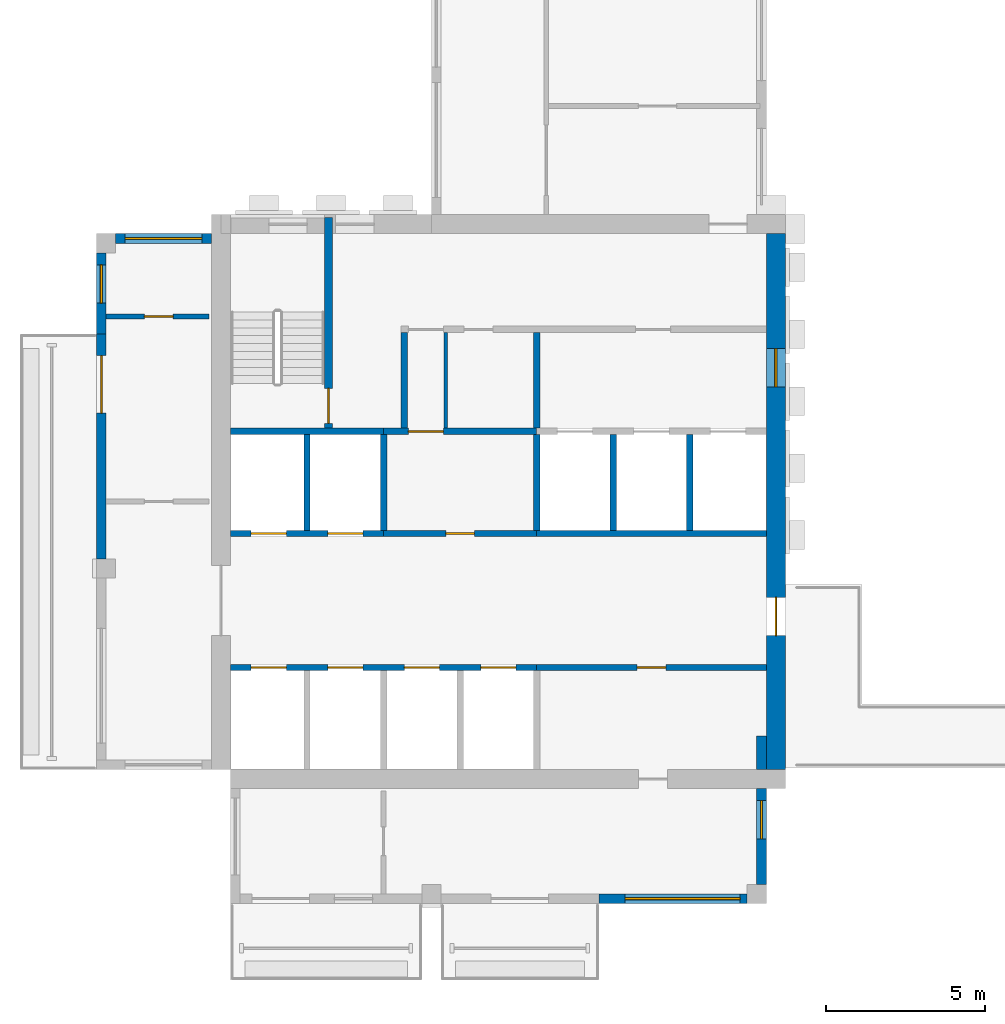
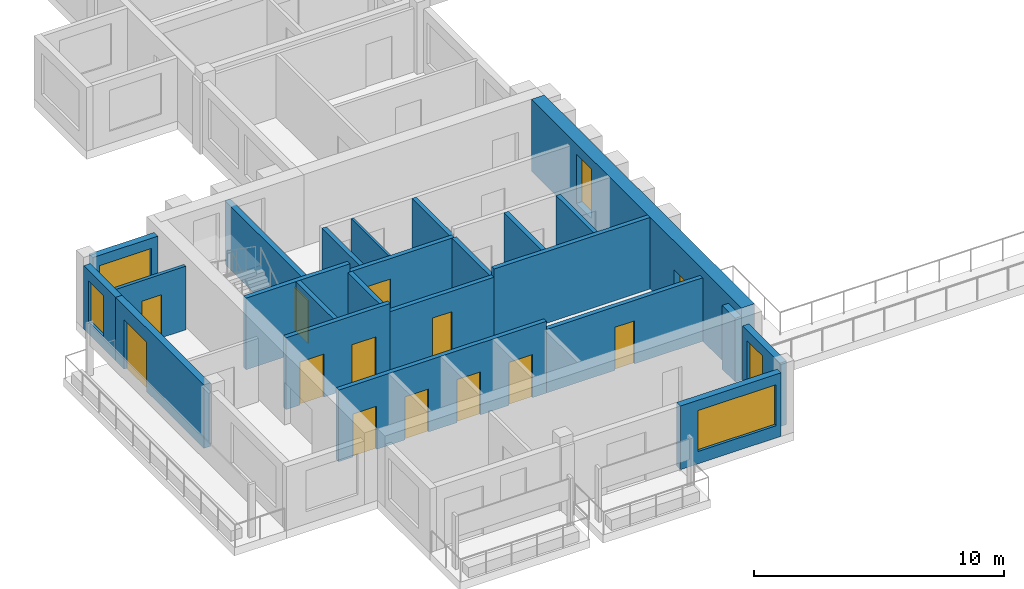
# One storey, part 2 of 8: 24 walls, 13 doors, 5 windows, 18 openings.
"""IFC4 building model written with IfcOpenShell, lengths in metres."""

from ifc_helpers import new_model, si_unit, direction, frame, frame_2d, origin, place, context, subcontext, project, spatial, rectangle, extrude, source, transform, mapped, material, layer, layer_set, type_object, element, fill, save


model = new_model("IFC4")

# Units and contexts
model_context = context("Model", 3, precision=1e-05, world=origin(), true_north=direction((0.0, 1.0)))
body_context = subcontext(model_context, "Body", "Model", "MODEL_VIEW")
ifc_project = project(units=[si_unit("LENGTHUNIT", "METRE"), si_unit("AREAUNIT", "SQUARE_METRE"), si_unit("VOLUMEUNIT", "CUBIC_METRE"), si_unit("PLANEANGLEUNIT", "RADIAN"), si_unit("MASSUNIT", "GRAM", prefix="KILO")], contexts=[model_context])

# Site, building, storey
site_placement = place(None, origin())
site = spatial("IfcSite", under=ifc_project, at=site_placement, CompositionType="ELEMENT")
building_placement = place(site_placement, origin())
building = spatial("IfcBuilding", under=site, at=building_placement, Name="Aurelian Terraces", CompositionType="ELEMENT")
storey_placement = place(building_placement, frame((0.0, 0.0, 347.5)))
storey = spatial("IfcBuildingStorey", under=building, at=storey_placement, Name="L82", CompositionType="ELEMENT", Elevation=347.5)

# Wall, opening, window
ifc_material_1 = material(Name="Terracotta rainscreen cladding", Category="masonry")
ifc_layer_1 = layer(ifc_material_1, 0.3)
ifc_layer_set_1 = layer_set([ifc_layer_1], Name="EW-300")
wall_type_1 = type_object("IfcWallType", Name="EW-300", PredefinedType="STANDARD", material=ifc_layer_set_1)
wall_1_placement = place(storey_placement, frame((15.75, 0.15, 0.0), z_axis=(0.0, 0.0, 1.0), x_axis=(1.0, 0.0, 0.0)))
wall_1 = element("IfcWall", 1, at=wall_1_placement, inside=storey, type_object=wall_type_1, Name="External wall L82 F01.3", PredefinedType="STANDARD", context=body_context, shape_type="SweptSolid", body=[
    extrude(rectangle(XDim=4.65, YDim=0.3, at=frame_2d((2.325, 0.0))), origin(), (0.0, 0.0, 1.0), 3.1),
])
shared_shape_1 = source(origin(), body_context, "Body", "SweptSolid", [
    extrude(rectangle(XDim=3.6, YDim=2.0, at=frame_2d((1.8, 1.0))), frame((0.0, 0.16, 0.0), z_axis=(0.0, -1.0, 0.0), x_axis=(1.0, 0.0, 0.0)), (0.0, 0.0, 1.0), 0.32),
])
opening_1_placement = place(wall_1_placement, frame((0.825, 0.0, 0.6)))
opening_1 = element("IfcOpeningElement", 2, at=opening_1_placement, cuts=wall_1, Name="Opening W3620", PredefinedType="OPENING", context=body_context, shape_type="MappedRepresentation", body=[
    mapped(shared_shape_1, transform((0.0, 0.0, 0.0), scale=1.0)),
])
ifc_material_2 = material(Name="Clear glazing", Category="glass")
window_type_1 = type_object("IfcWindowType", Name="W-3600x2000", PartitioningType="SINGLE_PANEL", PredefinedType="WINDOW", material=ifc_material_2)
shared_shape_2 = source(origin(), body_context, "Body", "SweptSolid", [
    extrude(rectangle(XDim=3.6, YDim=2.0, at=frame_2d((1.8, 1.0))), frame((0.0, 0.03, 0.0), z_axis=(0.0, -1.0, 0.0), x_axis=(1.0, 0.0, 0.0)), (0.0, 0.0, 1.0), 0.06),
])
window_1_placement = place(opening_1_placement, origin())
window_1 = element("IfcWindow", 3, at=window_1_placement, inside=storey, type_object=window_type_1, Name="Window L82 L82-F01-03-0", OverallHeight=2.0, OverallWidth=3.6, PartitioningType="SINGLE_PANEL", PredefinedType="WINDOW", context=body_context, shape_type="MappedRepresentation", body=[
    mapped(shared_shape_2, transform((0.0, 0.0, 0.0), scale=1.0)),
])
fill(opening_1, window_1)

# Wall, openings, door, window
ifc_material_3 = material(Name="Concrete fc' 55 MPa", Category="concrete")
ifc_layer_2 = layer(ifc_material_3, 0.6)
ifc_layer_set_2 = layer_set([ifc_layer_2], Name="CORE WALL 600 FC55")
wall_type_2 = type_object("IfcWallType", Name="CORE WALL 600 FC55", PredefinedType="SHEAR", material=ifc_layer_set_2)
shared_shape_3 = source(origin(), body_context, "Body", "SweptSolid", [
    extrude(rectangle(XDim=16.8, YDim=0.6, at=frame_2d((8.4, 0.0))), origin(), (0.0, 0.0, 1.0), 3.5),
])
wall_2_placement = place(storey_placement, frame((21.3, 4.2, 0.0), z_axis=(0.0, 0.0, 1.0), x_axis=(0.0, 1.0, 0.0)))
wall_2 = element("IfcWall", 4, at=wall_2_placement, inside=storey, type_object=wall_type_2, Name="Core wall E L82 exposed", PredefinedType="SHEAR", context=body_context, shape_type="MappedRepresentation", body=[
    mapped(shared_shape_3, transform((0.0, 0.0, 0.0), scale=1.0)),
])
shared_shape_4 = source(origin(), body_context, "Body", "SweptSolid", [
    extrude(rectangle(XDim=1.2, YDim=2.1, at=frame_2d((0.6, 1.05))), frame((0.0, 0.31, 0.0), z_axis=(0.0, -1.0, 0.0), x_axis=(1.0, 0.0, 0.0)), (0.0, 0.0, 1.0), 0.62),
])
opening_2_placement = place(wall_2_placement, frame((4.2, 0.0, 0.0)))
opening_2 = element("IfcOpeningElement", 5, at=opening_2_placement, cuts=wall_2, Name="Opening 68523", PredefinedType="OPENING", context=body_context, shape_type="MappedRepresentation", body=[
    mapped(shared_shape_4, transform((0.0, 0.0, 0.0), scale=1.0)),
])
shared_shape_5 = source(origin(), body_context, "Body", "SweptSolid", [
    extrude(rectangle(XDim=1.2, YDim=2.4, at=frame_2d((0.6, 1.2))), frame((0.0, 0.31, 0.0), z_axis=(0.0, -1.0, 0.0), x_axis=(1.0, 0.0, 0.0)), (0.0, 0.0, 1.0), 0.62),
])
opening_3_placement = place(wall_2_placement, frame((12.0, 0.0, 0.6)))
opening_3 = element("IfcOpeningElement", 6, at=opening_3_placement, cuts=wall_2, Name="Opening W-CL", PredefinedType="OPENING", context=body_context, shape_type="MappedRepresentation", body=[
    mapped(shared_shape_5, transform((0.0, 0.0, 0.0), scale=1.0)),
])
ifc_material_4 = material(Name="Steel door leaf", Category="steel")
door_type_1 = type_object("IfcDoorType", Name="Core fire door 1200x2100 right", OperationType="SINGLE_SWING_RIGHT", PredefinedType="DOOR", material=ifc_material_4)
shared_shape_6 = source(origin(), body_context, "Body", "SweptSolid", [
    extrude(rectangle(XDim=1.2, YDim=2.1, at=frame_2d((0.6, 1.05))), frame((0.0, 0.025, 0.0), z_axis=(0.0, -1.0, 0.0), x_axis=(1.0, 0.0, 0.0)), (0.0, 0.0, 1.0), 0.05),
])
door_1_placement = place(opening_2_placement, origin())
door_1 = element("IfcDoor", 7, at=door_1_placement, inside=storey, type_object=door_type_1, Name="Core door 68523", OperationType="SINGLE_SWING_RIGHT", OverallHeight=2.1, OverallWidth=1.2, PredefinedType="DOOR", context=body_context, shape_type="MappedRepresentation", body=[
    mapped(shared_shape_6, transform((0.0, 0.0, 0.0), scale=1.0)),
])
fill(opening_2, door_1)
ifc_material_5 = material(Name="Fire-resisting glazing", Category="glass")
window_type_2 = type_object("IfcWindowType", Name="Core lobby window 1200x2400", PartitioningType="SINGLE_PANEL", PredefinedType="WINDOW", material=ifc_material_5)
shared_shape_7 = source(origin(), body_context, "Body", "SweptSolid", [
    extrude(rectangle(XDim=1.2, YDim=2.4, at=frame_2d((0.6, 1.2))), frame((0.0, 0.03, 0.0), z_axis=(0.0, -1.0, 0.0), x_axis=(1.0, 0.0, 0.0)), (0.0, 0.0, 1.0), 0.06),
])
window_2_placement = place(opening_3_placement, origin())
window_2 = element("IfcWindow", 8, at=window_2_placement, inside=storey, type_object=window_type_2, Name="Lobby window L82 E55", OverallHeight=2.4, OverallWidth=1.2, PartitioningType="SINGLE_PANEL", PredefinedType="WINDOW", context=body_context, shape_type="MappedRepresentation", body=[
    mapped(shared_shape_7, transform((0.0, 0.0, 0.0), scale=1.0)),
])
fill(opening_3, window_2)

# Wall
shared_shape_8 = source(origin(), body_context, "Body", "SweptSolid", [
    extrude(rectangle(XDim=1.05, YDim=0.3, at=frame_2d((0.525, 0.0))), origin(), (0.0, 0.0, 1.0), 3.1),
])
wall_3_placement = place(storey_placement, frame((20.85, 4.2, 0.0), z_axis=(0.0, 0.0, 1.0), x_axis=(0.0, 1.0, 0.0)))
element("IfcWall", 9, at=wall_3_placement, inside=storey, type_object=wall_type_1, Name="External wall L82 F02.4", PredefinedType="STANDARD", context=body_context, shape_type="MappedRepresentation", body=[
    mapped(shared_shape_8, transform((0.0, 0.0, 0.0), scale=1.0)),
])

# Wall, opening, window
shared_shape_9 = source(origin(), body_context, "Body", "SweptSolid", [
    extrude(rectangle(XDim=3.0, YDim=0.3, at=frame_2d((1.5, 0.0))), origin(), (0.0, 0.0, 1.0), 3.1),
])
wall_4_placement = place(storey_placement, frame((20.85, 0.6, 0.0), z_axis=(0.0, 0.0, 1.0), x_axis=(0.0, 1.0, 0.0)))
wall_4 = element("IfcWall", 10, at=wall_4_placement, inside=storey, type_object=wall_type_1, Name="External wall L82 F02.4", PredefinedType="STANDARD", context=body_context, shape_type="MappedRepresentation", body=[
    mapped(shared_shape_9, transform((0.0, 0.0, 0.0), scale=1.0)),
])
shared_shape_10 = source(origin(), body_context, "Body", "SweptSolid", [
    extrude(rectangle(XDim=1.2, YDim=2.0, at=frame_2d((0.6, 1.0))), frame((0.0, 0.16, 0.0), z_axis=(0.0, -1.0, 0.0), x_axis=(1.0, 0.0, 0.0)), (0.0, 0.0, 1.0), 0.32),
])
opening_4_placement = place(wall_4_placement, frame((1.425, 0.0, 0.6)))
opening_4 = element("IfcOpeningElement", 11, at=opening_4_placement, cuts=wall_4, Name="Opening W1220", PredefinedType="OPENING", context=body_context, shape_type="MappedRepresentation", body=[
    mapped(shared_shape_10, transform((0.0, 0.0, 0.0), scale=1.0)),
])
window_type_3 = type_object("IfcWindowType", Name="W-1200x2000", PartitioningType="SINGLE_PANEL", PredefinedType="WINDOW", material=ifc_material_2)
shared_shape_11 = source(origin(), body_context, "Body", "SweptSolid", [
    extrude(rectangle(XDim=1.2, YDim=2.0, at=frame_2d((0.6, 1.0))), frame((0.0, 0.03, 0.0), z_axis=(0.0, -1.0, 0.0), x_axis=(1.0, 0.0, 0.0)), (0.0, 0.0, 1.0), 0.06),
])
window_3_placement = place(opening_4_placement, origin())
window_3 = element("IfcWindow", 12, at=window_3_placement, inside=storey, type_object=window_type_3, Name="Window L82 L82-F02-04-0", OverallHeight=2.0, OverallWidth=1.2, PartitioningType="SINGLE_PANEL", PredefinedType="WINDOW", context=body_context, shape_type="MappedRepresentation", body=[
    mapped(shared_shape_11, transform((0.0, 0.0, 0.0), scale=1.0)),
])
fill(opening_4, window_3)

wall_5_placement = place(storey_placement, frame((3.6, 20.85, 0.0), z_axis=(0.0, 0.0, 1.0), x_axis=(-1.0, 0.0, 0.0)))
wall_5 = element("IfcWall", 13, at=wall_5_placement, inside=storey, type_object=wall_type_1, Name="External wall L82 F09.16", PredefinedType="STANDARD", context=body_context, shape_type="MappedRepresentation", body=[
    mapped(shared_shape_9, transform((0.0, 0.0, 0.0), scale=1.0)),
])
shared_shape_12 = source(origin(), body_context, "Body", "SweptSolid", [
    extrude(rectangle(XDim=2.4, YDim=2.0, at=frame_2d((1.2, 1.0))), frame((0.0, 0.16, 0.0), z_axis=(0.0, -1.0, 0.0), x_axis=(1.0, 0.0, 0.0)), (0.0, 0.0, 1.0), 0.32),
])
opening_5_placement = place(wall_5_placement, frame((0.3, 0.0, 0.6)))
opening_5 = element("IfcOpeningElement", 14, at=opening_5_placement, cuts=wall_5, Name="Opening W2420", PredefinedType="OPENING", context=body_context, shape_type="MappedRepresentation", body=[
    mapped(shared_shape_12, transform((0.0, 0.0, 0.0), scale=1.0)),
])
window_type_4 = type_object("IfcWindowType", Name="W-2400x2000", PartitioningType="SINGLE_PANEL", PredefinedType="WINDOW", material=ifc_material_2)
shared_shape_13 = source(origin(), body_context, "Body", "SweptSolid", [
    extrude(rectangle(XDim=2.4, YDim=2.0, at=frame_2d((1.2, 1.0))), frame((0.0, 0.03, 0.0), z_axis=(0.0, -1.0, 0.0), x_axis=(1.0, 0.0, 0.0)), (0.0, 0.0, 1.0), 0.06),
])
window_4_placement = place(opening_5_placement, origin())
window_4 = element("IfcWindow", 15, at=window_4_placement, inside=storey, type_object=window_type_4, Name="Window L82 L82-F09-16-0", OverallHeight=2.0, OverallWidth=2.4, PartitioningType="SINGLE_PANEL", PredefinedType="WINDOW", context=body_context, shape_type="MappedRepresentation", body=[
    mapped(shared_shape_13, transform((0.0, 0.0, 0.0), scale=1.0)),
])
fill(opening_5, window_4)

shared_shape_14 = source(origin(), body_context, "Body", "SweptSolid", [
    extrude(rectangle(XDim=2.55, YDim=0.3, at=frame_2d((1.275, 0.0))), origin(), (0.0, 0.0, 1.0), 3.1),
])
wall_6_placement = place(storey_placement, frame((0.15, 20.4, 0.0), z_axis=(0.0, 0.0, 1.0), x_axis=(0.0, -1.0, 0.0)))
wall_6 = element("IfcWall", 16, at=wall_6_placement, inside=storey, type_object=wall_type_1, Name="External wall L82 F10.17", PredefinedType="STANDARD", context=body_context, shape_type="MappedRepresentation", body=[
    mapped(shared_shape_14, transform((0.0, 0.0, 0.0), scale=1.0)),
])
opening_6_placement = place(wall_6_placement, frame((0.375, 0.0, 0.6)))
opening_6 = element("IfcOpeningElement", 17, at=opening_6_placement, cuts=wall_6, Name="Opening W1220", PredefinedType="OPENING", context=body_context, shape_type="MappedRepresentation", body=[
    mapped(shared_shape_10, transform((0.0, 0.0, 0.0), scale=1.0)),
])
window_5_placement = place(opening_6_placement, origin())
window_5 = element("IfcWindow", 18, at=window_5_placement, inside=storey, type_object=window_type_3, Name="Window L82 L82-F10-17-0", OverallHeight=2.0, OverallWidth=1.2, PartitioningType="SINGLE_PANEL", PredefinedType="WINDOW", context=body_context, shape_type="MappedRepresentation", body=[
    mapped(shared_shape_11, transform((0.0, 0.0, 0.0), scale=1.0)),
])
fill(opening_6, window_5)

# Wall, opening, door
shared_shape_15 = source(origin(), body_context, "Body", "SweptSolid", [
    extrude(rectangle(XDim=7.05, YDim=0.3, at=frame_2d((3.525, 0.0))), origin(), (0.0, 0.0, 1.0), 3.1),
])
wall_7_placement = place(storey_placement, frame((0.15, 17.85, 0.0), z_axis=(0.0, 0.0, 1.0), x_axis=(0.0, -1.0, 0.0)))
wall_7 = element("IfcWall", 19, at=wall_7_placement, inside=storey, type_object=wall_type_1, Name="External wall L82 F10.18", PredefinedType="STANDARD", context=body_context, shape_type="MappedRepresentation", body=[
    mapped(shared_shape_15, transform((0.0, 0.0, 0.0), scale=1.0)),
])
shared_shape_16 = source(origin(), body_context, "Body", "SweptSolid", [
    extrude(rectangle(XDim=1.8, YDim=2.4, at=frame_2d((0.9, 1.2))), frame((0.0, 0.16, 0.0), z_axis=(0.0, -1.0, 0.0), x_axis=(1.0, 0.0, 0.0)), (0.0, 0.0, 1.0), 0.32),
])
opening_7_placement = place(wall_7_placement, frame((0.675, 0.0, 0.0)))
opening_7 = element("IfcOpeningElement", 20, at=opening_7_placement, cuts=wall_7, Name="Opening 88203", PredefinedType="OPENING", context=body_context, shape_type="MappedRepresentation", body=[
    mapped(shared_shape_16, transform((0.0, 0.0, 0.0), scale=1.0)),
])
door_type_2 = type_object("IfcDoorType", Name="BD-1800x2400", OperationType="SLIDING_TO_LEFT", PredefinedType="DOOR", material=ifc_material_2)
shared_shape_17 = source(origin(), body_context, "Body", "SweptSolid", [
    extrude(rectangle(XDim=1.8, YDim=2.4, at=frame_2d((0.9, 1.2))), frame((0.0, 0.025, 0.0), z_axis=(0.0, -1.0, 0.0), x_axis=(1.0, 0.0, 0.0)), (0.0, 0.0, 1.0), 0.05),
])
door_2_placement = place(opening_7_placement, origin())
door_2 = element("IfcDoor", 21, at=door_2_placement, inside=storey, type_object=door_type_2, Name="Balcony door L82 F10.18", OperationType="SLIDING_TO_LEFT", OverallHeight=2.4, OverallWidth=1.8, PredefinedType="DOOR", context=body_context, shape_type="MappedRepresentation", body=[
    mapped(shared_shape_17, transform((0.0, 0.0, 0.0), scale=1.0)),
])
fill(opening_7, door_2)

# Walls
ifc_material_6 = material(Name="Concrete fc' 40 MPa", Category="concrete")
ifc_layer_3 = layer(ifc_material_6, 0.2)
ifc_layer_set_3 = layer_set([ifc_layer_3], Name="Lift shaft wall 200")
wall_type_3 = type_object("IfcWallType", Name="Lift shaft wall 200", PredefinedType="SOLIDWALL", material=ifc_layer_set_3)
shared_shape_18 = source(origin(), body_context, "Body", "SweptSolid", [
    extrude(rectangle(XDim=3.0, YDim=0.2, at=frame_2d((1.5, 0.0))), origin(), (0.0, 0.0, 1.0), 3.1),
])
for number, where, z_axis, x_axis, name in (
    (22, (9.0, 11.7, 0.0), (0.0, 0.0, 1.0), (0.0, 1.0, 0.0), "L82 core wall CD-B2"),
    (23, (13.8, 11.7, 0.0), (0.0, 0.0, 1.0), (0.0, 1.0, 0.0), "L82 core wall CD-B4"),
):
    element("IfcWall", number, at=place(storey_placement, frame(where, z_axis=z_axis, x_axis=x_axis)), inside=storey, type_object=wall_type_3, Name=name, PredefinedType="SOLIDWALL", context=body_context, shape_type="MappedRepresentation", body=[
        mapped(shared_shape_18, transform((0.0, 0.0, 0.0), scale=1.0)),
    ])
shared_shape_19 = source(origin(), body_context, "Body", "SweptSolid", [
    extrude(rectangle(XDim=3.0, YDim=0.2, at=frame_2d((1.5, 0.0))), origin(), (0.0, 0.0, 1.0), 3.5),
])
for number, where, z_axis, x_axis, name in (
    (24, (6.6, 11.7, 0.0), (0.0, 0.0, 1.0), (0.0, 1.0, 0.0), "L82 core wall CD-B1"),
    (25, (16.2, 11.7, 0.0), (0.0, 0.0, 1.0), (0.0, 1.0, 0.0), "L82 core wall CD-B5"),
    (26, (18.6, 11.7, 0.0), (0.0, 0.0, 1.0), (0.0, 1.0, 0.0), "L82 core wall CD-B6"),
):
    element("IfcWall", number, at=place(storey_placement, frame(where, z_axis=z_axis, x_axis=x_axis)), inside=storey, type_object=wall_type_3, Name=name, PredefinedType="SOLIDWALL", context=body_context, shape_type="MappedRepresentation", body=[
        mapped(shared_shape_19, transform((0.0, 0.0, 0.0), scale=1.0)),
    ])

# Wall, openings, doors
shared_shape_20 = source(origin(), body_context, "Body", "SweptSolid", [
    extrude(rectangle(XDim=4.8, YDim=0.2, at=frame_2d((2.4, 0.0))), origin(), (0.0, 0.0, 1.0), 3.5),
])
wall_8_placement = place(storey_placement, frame((4.2, 11.6, 0.0), z_axis=(0.0, 0.0, 1.0), x_axis=(1.0, 0.0, 0.0)))
wall_8 = element("IfcWall", 27, at=wall_8_placement, inside=storey, type_object=wall_type_3, Name="L82 core wall CF-BF1", PredefinedType="SOLIDWALL", context=body_context, shape_type="MappedRepresentation", body=[
    mapped(shared_shape_20, transform((0.0, 0.0, 0.0), scale=1.0)),
])
shared_shape_21 = source(origin(), body_context, "Body", "SweptSolid", [
    extrude(rectangle(XDim=1.1, YDim=2.1, at=frame_2d((0.55, 1.05))), frame((0.0, 0.11, 0.0), z_axis=(0.0, -1.0, 0.0), x_axis=(1.0, 0.0, 0.0)), (0.0, 0.0, 1.0), 0.22),
])
opening_8_placement = place(wall_8_placement, frame((0.65, 0.0, 0.0)))
opening_8 = element("IfcOpeningElement", 28, at=opening_8_placement, cuts=wall_8, Name="Opening 68505", PredefinedType="OPENING", context=body_context, shape_type="MappedRepresentation", body=[
    mapped(shared_shape_21, transform((0.0, 0.0, 0.0), scale=1.0)),
])
opening_9_placement = place(wall_8_placement, frame((3.05, 0.0, 0.0)))
opening_9 = element("IfcOpeningElement", 29, at=opening_9_placement, cuts=wall_8, Name="Opening 68506", PredefinedType="OPENING", context=body_context, shape_type="MappedRepresentation", body=[
    mapped(shared_shape_21, transform((0.0, 0.0, 0.0), scale=1.0)),
])
ifc_material_7 = material(Name="Stainless steel", Category="steel")
door_type_3 = type_object("IfcDoorType", Name="Lift landing door 1100x2100", OperationType="SLIDING_TO_LEFT", PredefinedType="DOOR", material=ifc_material_7)
shared_shape_22 = source(origin(), body_context, "Body", "SweptSolid", [
    extrude(rectangle(XDim=1.1, YDim=2.1, at=frame_2d((0.55, 1.05))), frame((0.0, 0.025, 0.0), z_axis=(0.0, -1.0, 0.0), x_axis=(1.0, 0.0, 0.0)), (0.0, 0.0, 1.0), 0.05),
])
door_3_placement = place(opening_8_placement, origin())
door_3 = element("IfcDoor", 30, at=door_3_placement, inside=storey, type_object=door_type_3, Name="Lift landing door LH5 L82", OperationType="SLIDING_TO_LEFT", OverallHeight=2.1, OverallWidth=1.1, PredefinedType="DOOR", context=body_context, shape_type="MappedRepresentation", body=[
    mapped(shared_shape_22, transform((0.0, 0.0, 0.0), scale=1.0)),
])
fill(opening_8, door_3)
door_4_placement = place(opening_9_placement, origin())
door_4 = element("IfcDoor", 31, at=door_4_placement, inside=storey, type_object=door_type_3, Name="Lift landing door LH6 L82", OperationType="SLIDING_TO_LEFT", OverallHeight=2.1, OverallWidth=1.1, PredefinedType="DOOR", context=body_context, shape_type="MappedRepresentation", body=[
    mapped(shared_shape_22, transform((0.0, 0.0, 0.0), scale=1.0)),
])
fill(opening_9, door_4)

# Wall
wall_9_placement = place(storey_placement, frame((4.2, 14.8, 0.0), z_axis=(0.0, 0.0, 1.0), x_axis=(1.0, 0.0, 0.0)))
element("IfcWall", 32, at=wall_9_placement, inside=storey, type_object=wall_type_3, Name="L82 core wall CF-BB1", PredefinedType="SOLIDWALL", context=body_context, shape_type="MappedRepresentation", body=[
    mapped(shared_shape_20, transform((0.0, 0.0, 0.0), scale=1.0)),
])

# Wall, opening, door
shared_shape_23 = source(origin(), body_context, "Body", "SweptSolid", [
    extrude(rectangle(XDim=4.8, YDim=0.2, at=frame_2d((2.4, 0.0))), origin(), (0.0, 0.0, 1.0), 3.1),
])
wall_10_placement = place(storey_placement, frame((9.0, 11.6, 0.0), z_axis=(0.0, 0.0, 1.0), x_axis=(1.0, 0.0, 0.0)))
wall_10 = element("IfcWall", 33, at=wall_10_placement, inside=storey, type_object=wall_type_3, Name="L82 core wall CF-BF2", PredefinedType="SOLIDWALL", context=body_context, shape_type="MappedRepresentation", body=[
    mapped(shared_shape_23, transform((0.0, 0.0, 0.0), scale=1.0)),
])
shared_shape_24 = source(origin(), body_context, "Body", "SweptSolid", [
    extrude(rectangle(XDim=0.9, YDim=2.1, at=frame_2d((0.45, 1.05))), frame((0.0, 0.11, 0.0), z_axis=(0.0, -1.0, 0.0), x_axis=(1.0, 0.0, 0.0)), (0.0, 0.0, 1.0), 0.22),
])
opening_10_placement = place(wall_10_placement, frame((1.95, 0.0, 0.0)))
opening_10 = element("IfcOpeningElement", 34, at=opening_10_placement, cuts=wall_10, Name="Opening 68507", PredefinedType="OPENING", context=body_context, shape_type="MappedRepresentation", body=[
    mapped(shared_shape_24, transform((0.0, 0.0, 0.0), scale=1.0)),
])
door_type_4 = type_object("IfcDoorType", Name="Core service door 900x2100", OperationType="SINGLE_SWING_LEFT", PredefinedType="DOOR", material=ifc_material_4)
shared_shape_25 = source(origin(), body_context, "Body", "SweptSolid", [
    extrude(rectangle(XDim=0.9, YDim=2.1, at=frame_2d((0.45, 1.05))), frame((0.0, 0.025, 0.0), z_axis=(0.0, -1.0, 0.0), x_axis=(1.0, 0.0, 0.0)), (0.0, 0.0, 1.0), 0.05),
])
door_5_placement = place(opening_10_placement, origin())
door_5 = element("IfcDoor", 35, at=door_5_placement, inside=storey, type_object=door_type_4, Name="Room door 68507", OperationType="SINGLE_SWING_LEFT", OverallHeight=2.1, OverallWidth=0.9, PredefinedType="DOOR", context=body_context, shape_type="MappedRepresentation", body=[
    mapped(shared_shape_25, transform((0.0, 0.0, 0.0), scale=1.0)),
])
fill(opening_10, door_5)

wall_11_placement = place(storey_placement, frame((9.0, 14.8, 0.0), z_axis=(0.0, 0.0, 1.0), x_axis=(1.0, 0.0, 0.0)))
wall_11 = element("IfcWall", 36, at=wall_11_placement, inside=storey, type_object=wall_type_3, Name="L82 core wall CF-BB2", PredefinedType="SOLIDWALL", context=body_context, shape_type="MappedRepresentation", body=[
    mapped(shared_shape_23, transform((0.0, 0.0, 0.0), scale=1.0)),
])
opening_11_placement = place(wall_11_placement, frame((0.775, 0.0, 0.0)))
opening_11 = element("IfcOpeningElement", 37, at=opening_11_placement, cuts=wall_11, Name="Opening 68508", PredefinedType="OPENING", context=body_context, shape_type="MappedRepresentation", body=[
    mapped(shared_shape_21, transform((0.0, 0.0, 0.0), scale=1.0)),
])
door_type_5 = type_object("IfcDoorType", Name="Core fire door 1100x2100 right", OperationType="SINGLE_SWING_RIGHT", PredefinedType="DOOR", material=ifc_material_4)
door_6_placement = place(opening_11_placement, origin())
door_6 = element("IfcDoor", 38, at=door_6_placement, inside=storey, type_object=door_type_5, Name="Room door 68508", OperationType="SINGLE_SWING_RIGHT", OverallHeight=2.1, OverallWidth=1.1, PredefinedType="DOOR", context=body_context, shape_type="MappedRepresentation", body=[
    mapped(shared_shape_22, transform((0.0, 0.0, 0.0), scale=1.0)),
])
fill(opening_11, door_6)

# Walls
shared_shape_26 = source(origin(), body_context, "Body", "SweptSolid", [
    extrude(rectangle(XDim=7.2, YDim=0.2, at=frame_2d((3.6, 0.0))), origin(), (0.0, 0.0, 1.0), 3.5),
])
wall_12_placement = place(storey_placement, frame((13.8, 11.6, 0.0), z_axis=(0.0, 0.0, 1.0), x_axis=(1.0, 0.0, 0.0)))
element("IfcWall", 39, at=wall_12_placement, inside=storey, type_object=wall_type_3, Name="L82 core wall CF-BF3", PredefinedType="SOLIDWALL", context=body_context, shape_type="MappedRepresentation", body=[
    mapped(shared_shape_26, transform((0.0, 0.0, 0.0), scale=1.0)),
])
ifc_material_8 = material(Name="Gypsum board on steel studs", Category="steel")
ifc_layer_4 = layer(ifc_material_8, 0.2)
ifc_layer_set_4 = layer_set([ifc_layer_4], Name="Core partition 200")
wall_type_4 = type_object("IfcWallType", Name="Core partition 200", PredefinedType="PARTITIONING", material=ifc_layer_set_4)
shared_shape_27 = source(origin(), body_context, "Body", "SweptSolid", [
    extrude(rectangle(XDim=3.0, YDim=0.2, at=frame_2d((1.5, 0.0))), origin(), (0.0, 0.0, 1.0), 3.1),
])
for number, where, z_axis, x_axis, name in (
    (40, (9.65, 14.9, 0.0), (0.0, 0.0, 1.0), (0.0, 1.0, 0.0), "L82 core wall CP-VEST"),
    (41, (13.8, 14.9, 0.0), (0.0, 0.0, 1.0), (0.0, 1.0, 0.0), "L82 core wall CP-FFL"),
):
    element("IfcWall", number, at=place(storey_placement, frame(where, z_axis=z_axis, x_axis=x_axis)), inside=storey, type_object=wall_type_4, Name=name, PredefinedType="PARTITIONING", context=body_context, shape_type="MappedRepresentation", body=[
        mapped(shared_shape_27, transform((0.0, 0.0, 0.0), scale=1.0)),
    ])

# Wall, openings, doors
shared_shape_28 = source(origin(), body_context, "Body", "SweptSolid", [
    extrude(rectangle(XDim=9.6, YDim=0.2, at=frame_2d((4.8, 0.0))), origin(), (0.0, 0.0, 1.0), 3.5),
])
wall_13_placement = place(storey_placement, frame((4.2, 7.4, 0.0), z_axis=(0.0, 0.0, 1.0), x_axis=(1.0, 0.0, 0.0)))
wall_13 = element("IfcWall", 42, at=wall_13_placement, inside=storey, type_object=wall_type_3, Name="L82 core wall CF-AF1", PredefinedType="SOLIDWALL", context=body_context, shape_type="MappedRepresentation", body=[
    mapped(shared_shape_28, transform((0.0, 0.0, 0.0), scale=1.0)),
])
opening_12_placement = place(wall_13_placement, frame((0.65, 0.0, 0.0)))
opening_12 = element("IfcOpeningElement", 43, at=opening_12_placement, cuts=wall_13, Name="Opening 68500", PredefinedType="OPENING", context=body_context, shape_type="MappedRepresentation", body=[
    mapped(shared_shape_21, transform((0.0, 0.0, 0.0), scale=1.0)),
])
opening_13_placement = place(wall_13_placement, frame((3.05, 0.0, 0.0)))
opening_13 = element("IfcOpeningElement", 44, at=opening_13_placement, cuts=wall_13, Name="Opening 68501", PredefinedType="OPENING", context=body_context, shape_type="MappedRepresentation", body=[
    mapped(shared_shape_21, transform((0.0, 0.0, 0.0), scale=1.0)),
])
opening_14_placement = place(wall_13_placement, frame((5.45, 0.0, 0.0)))
opening_14 = element("IfcOpeningElement", 45, at=opening_14_placement, cuts=wall_13, Name="Opening 68502", PredefinedType="OPENING", context=body_context, shape_type="MappedRepresentation", body=[
    mapped(shared_shape_21, transform((0.0, 0.0, 0.0), scale=1.0)),
])
opening_15_placement = place(wall_13_placement, frame((7.85, 0.0, 0.0)))
opening_15 = element("IfcOpeningElement", 46, at=opening_15_placement, cuts=wall_13, Name="Opening 68503", PredefinedType="OPENING", context=body_context, shape_type="MappedRepresentation", body=[
    mapped(shared_shape_21, transform((0.0, 0.0, 0.0), scale=1.0)),
])
door_7_placement = place(opening_12_placement, origin())
door_7 = element("IfcDoor", 47, at=door_7_placement, inside=storey, type_object=door_type_3, Name="Lift landing door LH1 L82", OperationType="SLIDING_TO_LEFT", OverallHeight=2.1, OverallWidth=1.1, PredefinedType="DOOR", context=body_context, shape_type="MappedRepresentation", body=[
    mapped(shared_shape_22, transform((0.0, 0.0, 0.0), scale=1.0)),
])
fill(opening_12, door_7)
door_8_placement = place(opening_13_placement, origin())
door_8 = element("IfcDoor", 48, at=door_8_placement, inside=storey, type_object=door_type_3, Name="Lift landing door LH2 L82", OperationType="SLIDING_TO_LEFT", OverallHeight=2.1, OverallWidth=1.1, PredefinedType="DOOR", context=body_context, shape_type="MappedRepresentation", body=[
    mapped(shared_shape_22, transform((0.0, 0.0, 0.0), scale=1.0)),
])
fill(opening_13, door_8)
door_9_placement = place(opening_14_placement, origin())
door_9 = element("IfcDoor", 49, at=door_9_placement, inside=storey, type_object=door_type_3, Name="Lift landing door LH3 L82", OperationType="SLIDING_TO_LEFT", OverallHeight=2.1, OverallWidth=1.1, PredefinedType="DOOR", context=body_context, shape_type="MappedRepresentation", body=[
    mapped(shared_shape_22, transform((0.0, 0.0, 0.0), scale=1.0)),
])
fill(opening_14, door_9)
door_10_placement = place(opening_15_placement, origin())
door_10 = element("IfcDoor", 50, at=door_10_placement, inside=storey, type_object=door_type_3, Name="Lift landing door LH4 L82", OperationType="SLIDING_TO_LEFT", OverallHeight=2.1, OverallWidth=1.1, PredefinedType="DOOR", context=body_context, shape_type="MappedRepresentation", body=[
    mapped(shared_shape_22, transform((0.0, 0.0, 0.0), scale=1.0)),
])
fill(opening_15, door_10)

# Wall, opening, door
shared_shape_29 = source(origin(), body_context, "Body", "SweptSolid", [
    extrude(rectangle(XDim=7.2, YDim=0.2, at=frame_2d((3.6, 0.0))), origin(), (0.0, 0.0, 1.0), 3.1),
])
wall_14_placement = place(storey_placement, frame((13.8, 7.4, 0.0), z_axis=(0.0, 0.0, 1.0), x_axis=(1.0, 0.0, 0.0)))
wall_14 = element("IfcWall", 51, at=wall_14_placement, inside=storey, type_object=wall_type_3, Name="L82 core wall CF-AF2", PredefinedType="SOLIDWALL", context=body_context, shape_type="MappedRepresentation", body=[
    mapped(shared_shape_29, transform((0.0, 0.0, 0.0), scale=1.0)),
])
opening_16_placement = place(wall_14_placement, frame((3.15, 0.0, 0.0)))
opening_16 = element("IfcOpeningElement", 52, at=opening_16_placement, cuts=wall_14, Name="Opening 68504", PredefinedType="OPENING", context=body_context, shape_type="MappedRepresentation", body=[
    mapped(shared_shape_24, transform((0.0, 0.0, 0.0), scale=1.0)),
])
door_type_6 = type_object("IfcDoorType", Name="Core service door 900x2100 right", OperationType="SINGLE_SWING_RIGHT", PredefinedType="DOOR", material=ifc_material_4)
door_11_placement = place(opening_16_placement, origin())
door_11 = element("IfcDoor", 53, at=door_11_placement, inside=storey, type_object=door_type_6, Name="Room door 68504", OperationType="SINGLE_SWING_RIGHT", OverallHeight=2.1, OverallWidth=0.9, PredefinedType="DOOR", context=body_context, shape_type="MappedRepresentation", body=[
    mapped(shared_shape_25, transform((0.0, 0.0, 0.0), scale=1.0)),
])
fill(opening_16, door_11)

ifc_layer_5 = layer(ifc_material_6, 0.25)
ifc_layer_set_5 = layer_set([ifc_layer_5], Name="Stair enclosure wall 250")
wall_type_5 = type_object("IfcWallType", Name="Stair enclosure wall 250", PredefinedType="SOLIDWALL", material=ifc_layer_set_5)
shared_shape_30 = source(origin(), body_context, "Body", "SweptSolid", [
    extrude(rectangle(XDim=6.6, YDim=0.25, at=frame_2d((3.3, 0.0))), origin(), (0.0, 0.0, 1.0), 3.1),
])
wall_15_placement = place(storey_placement, frame((7.275, 14.9, 0.0), z_axis=(0.0, 0.0, 1.0), x_axis=(0.0, 1.0, 0.0)))
wall_15 = element("IfcWall", 54, at=wall_15_placement, inside=storey, type_object=wall_type_5, Name="L82 core wall ST-S1-E", PredefinedType="SOLIDWALL", context=body_context, shape_type="MappedRepresentation", body=[
    mapped(shared_shape_30, transform((0.0, 0.0, 0.0), scale=1.0)),
])
shared_shape_31 = source(origin(), body_context, "Body", "SweptSolid", [
    extrude(rectangle(XDim=1.1, YDim=2.1, at=frame_2d((0.55, 1.05))), frame((0.0, 0.135, 0.0), z_axis=(0.0, -1.0, 0.0), x_axis=(1.0, 0.0, 0.0)), (0.0, 0.0, 1.0), 0.27),
])
opening_17_placement = place(wall_15_placement, frame((0.15, 0.0, 0.0)))
opening_17 = element("IfcOpeningElement", 55, at=opening_17_placement, cuts=wall_15, Name="Opening 68512", PredefinedType="OPENING", context=body_context, shape_type="MappedRepresentation", body=[
    mapped(shared_shape_31, transform((0.0, 0.0, 0.0), scale=1.0)),
])
door_12_placement = place(opening_17_placement, origin())
door_12 = element("IfcDoor", 56, at=door_12_placement, inside=storey, type_object=door_type_5, Name="Stair door 68512", OperationType="SINGLE_SWING_RIGHT", OverallHeight=2.1, OverallWidth=1.1, PredefinedType="DOOR", context=body_context, shape_type="MappedRepresentation", body=[
    mapped(shared_shape_22, transform((0.0, 0.0, 0.0), scale=1.0)),
])
fill(opening_17, door_12)

# Wall
ifc_layer_6 = layer(ifc_material_8, 0.1)
ifc_layer_set_6 = layer_set([ifc_layer_6], Name="Core partition 100")
wall_type_6 = type_object("IfcWallType", Name="Core partition 100", PredefinedType="PARTITIONING", material=ifc_layer_set_6)
shared_shape_32 = source(origin(), body_context, "Body", "SweptSolid", [
    extrude(rectangle(XDim=3.0, YDim=0.1, at=frame_2d((1.5, 0.0))), origin(), (0.0, 0.0, 1.0), 3.1),
])
wall_16_placement = place(storey_placement, frame((10.95, 14.9, 0.0), z_axis=(0.0, 0.0, 1.0), x_axis=(0.0, 1.0, 0.0)))
element("IfcWall", 57, at=wall_16_placement, inside=storey, type_object=wall_type_6, Name="L82 core wall CP-SV1", PredefinedType="PARTITIONING", context=body_context, shape_type="MappedRepresentation", body=[
    mapped(shared_shape_32, transform((0.0, 0.0, 0.0), scale=1.0)),
])

# Wall, opening, door
ifc_layer_7 = layer(ifc_material_8, 0.15)
ifc_layer_set_7 = layer_set([ifc_layer_7], Name="Partition 150")
wall_type_7 = type_object("IfcWallType", Name="Partition 150", PredefinedType="PARTITIONING", material=ifc_layer_set_7)
shared_shape_33 = source(origin(), body_context, "Body", "SweptSolid", [
    extrude(rectangle(XDim=3.225, YDim=0.15, at=frame_2d((1.6125, 0.0))), origin(), (0.0, 0.0, 1.0), 3.1),
])
wall_17_placement = place(storey_placement, frame((0.3, 18.4, 0.0), z_axis=(0.0, 0.0, 1.0), x_axis=(1.0, 0.0, 0.0)))
wall_17 = element("IfcWall", 58, at=wall_17_placement, inside=storey, type_object=wall_type_7, Name="Partition", PredefinedType="PARTITIONING", context=body_context, shape_type="MappedRepresentation", body=[
    mapped(shared_shape_33, transform((0.0, 0.0, 0.0), scale=1.0)),
])
shared_shape_34 = source(origin(), body_context, "Body", "SweptSolid", [
    extrude(rectangle(XDim=0.9, YDim=2.1, at=frame_2d((0.45, 1.05))), frame((0.0, 0.085, 0.0), z_axis=(0.0, -1.0, 0.0), x_axis=(1.0, 0.0, 0.0)), (0.0, 0.0, 1.0), 0.17),
])
opening_18_placement = place(wall_17_placement, frame((1.2, 0.0, 0.0)))
opening_18 = element("IfcOpeningElement", 59, at=opening_18_placement, cuts=wall_17, Name="Opening 782003", PredefinedType="OPENING", context=body_context, shape_type="MappedRepresentation", body=[
    mapped(shared_shape_34, transform((0.0, 0.0, 0.0), scale=1.0)),
])
ifc_material_9 = material(Name="Timber door leaf", Category="wood")
door_type_7 = type_object("IfcDoorType", Name="Room door 900x2100 left", OperationType="SINGLE_SWING_LEFT", PredefinedType="DOOR", material=ifc_material_9)
door_13_placement = place(opening_18_placement, origin())
door_13 = element("IfcDoor", 60, at=door_13_placement, inside=storey, type_object=door_type_7, Name="Door 782003", OperationType="SINGLE_SWING_LEFT", OverallHeight=2.1, OverallWidth=0.9, PredefinedType="DOOR", context=body_context, shape_type="MappedRepresentation", body=[
    mapped(shared_shape_25, transform((0.0, 0.0, 0.0), scale=1.0)),
])
fill(opening_18, door_13)

save(model, "model.ifc")
